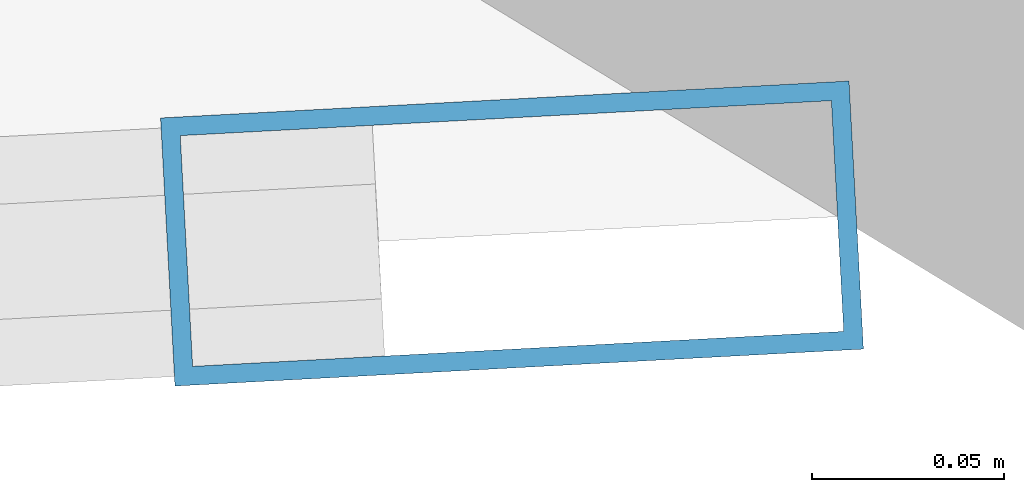
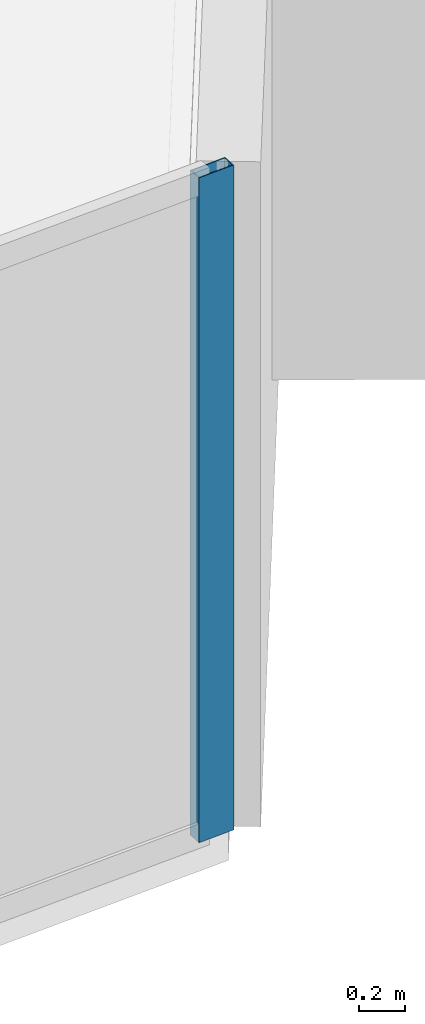
# One storey, part 11 of 23: 1 member, 1 element without a shape of its own.
"""IFC4 building model written with IfcOpenShell, lengths in metres."""

from ifc_helpers import new_model, si_unit, direction, frame, origin, origin_2d, place, context, subcontext, project, spatial, hollow_rectangle, extrude, material, layer, layer_set, material_profile, profile_set, type_object, element, aggregate, save


model = new_model("IFC4")

# Units and contexts
model_context = context("Model", 3, precision=1e-05, world=origin(), true_north=direction((0.0, 1.0)))
body_context = subcontext(model_context, "Body", "Model", "MODEL_VIEW")
ifc_project = project(units=[si_unit("LENGTHUNIT", "METRE"), si_unit("AREAUNIT", "SQUARE_METRE"), si_unit("VOLUMEUNIT", "CUBIC_METRE"), si_unit("PLANEANGLEUNIT", "RADIAN"), si_unit("MASSUNIT", "GRAM", prefix="KILO")], contexts=[model_context])

# Site, building, storey
site_placement = place(None, origin())
site = spatial("IfcSite", under=ifc_project, at=site_placement, CompositionType="ELEMENT")
building_placement = place(site_placement, origin())
building = spatial("IfcBuilding", under=site, at=building_placement, Name="Qianvela Tower", CompositionType="ELEMENT")
storey_placement = place(building_placement, frame((0.0, 0.0, 56.199951171875)))
storey = spatial("IfcBuildingStorey", under=building, at=storey_placement, Name="L13", CompositionType="ELEMENT", Elevation=56.199951171875)

# Curtain wall, member
ifc_material_1 = material(Name="Anodised Architectural Aluminium and Low-E Glass", Category="aluminium")
ifc_layer = layer(ifc_material_1, 0.179931640625)
ifc_layer_set = layer_set([ifc_layer], Name="Anodised Architectural Aluminium and Low-E Glass")
curtain_wall_type = type_object("IfcCurtainWallType", Name="CW-COLIV-Z12", PredefinedType="USERDEFINED", material=ifc_layer_set)
curtain_wall_placement = place(storey_placement, origin())
curtain_wall = element("IfcCurtainWall", 1, at=curtain_wall_placement, inside=storey, type_object=curtain_wall_type, Name="L13 CW-COLIV-Z12 Curtain Wall 06C", ObjectType="CURTAIN_WALL_SYSTEM", PredefinedType="USERDEFINED")
ifc_material_2 = material(Name="Anodised Architectural Aluminium 6063-T6", Category="aluminium")
ifc_material_profile = material_profile(ifc_material_2, hollow_rectangle(XDim=0.070068359375, YDim=0.179931640625, WallThickness=0.0048828125, at=origin_2d()), Name="ALU-MULL-70x180")
ifc_profile_set = profile_set([ifc_material_profile], Name="Anodised Architectural Aluminium 6063-T6")
member_type = type_object("IfcMemberType", Name="CW-COLIV-Z12-MULL", PredefinedType="MULLION", material=ifc_profile_set)
member_placement = place(storey_placement, frame((53.724853515625, 13.552001953125, 0.0), z_axis=(0.0, 0.0, 1.0), x_axis=(-0.053601389747, 0.998562412179, 0.0)))
member = element("IfcMember", 2, at=member_placement, type_object=member_type, Name="CW-3 mullion 2", PredefinedType="MULLION", context=body_context, shape_type="SweptSolid", body=[
    extrude(hollow_rectangle(XDim=0.070068359375, YDim=0.179931640625, WallThickness=0.0048828125, at=origin_2d()), origin(), (0.0, 0.0, 1.0), 3.52001953125),
])
aggregate(curtain_wall, [member])

save(model, "model.ifc")
